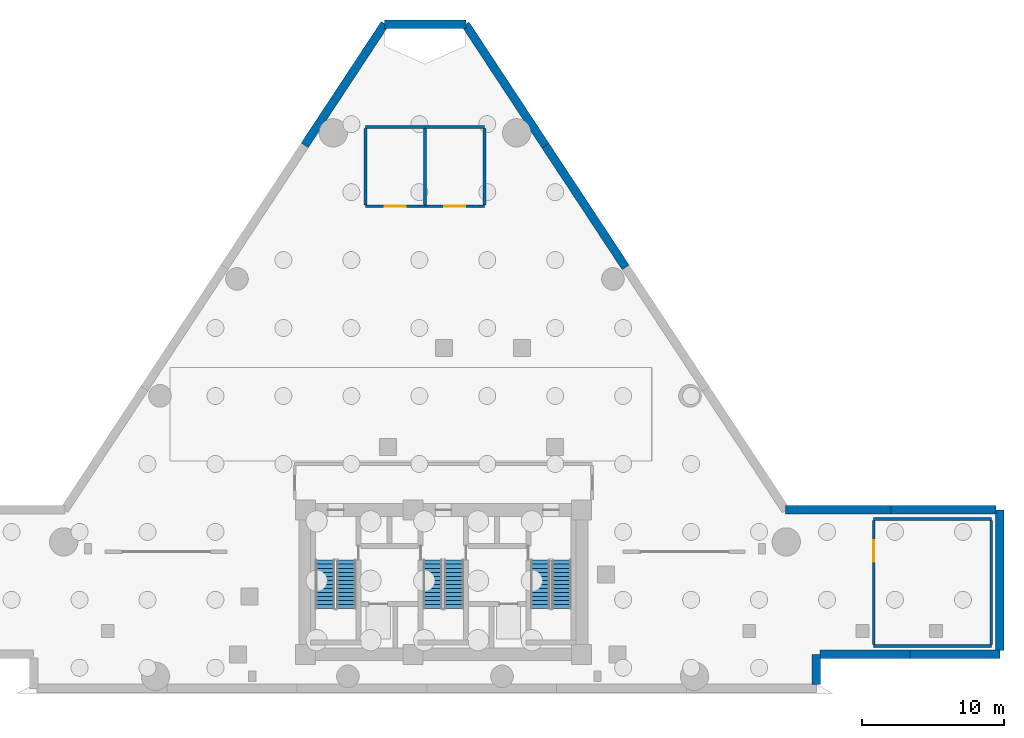
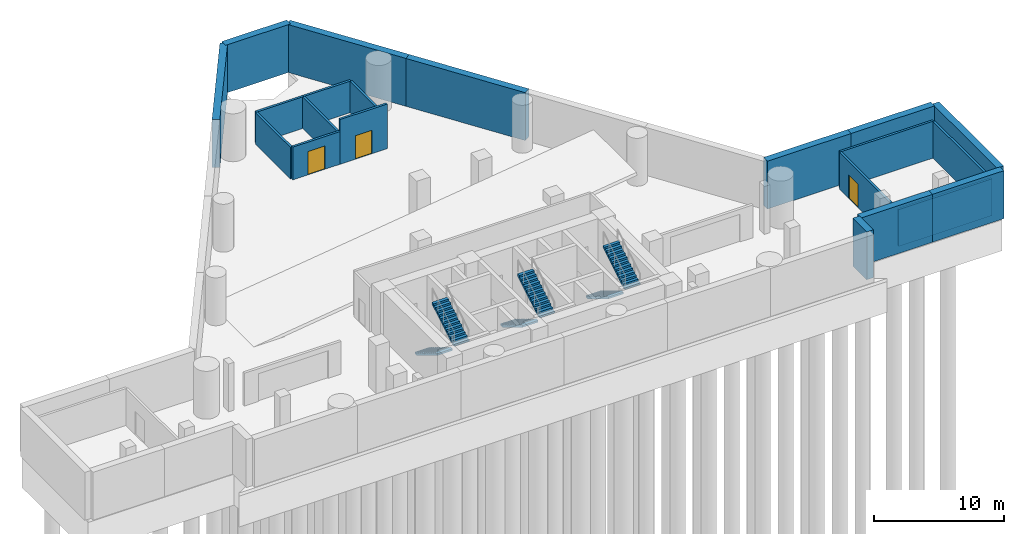
# One storey, part 3 of 5: 21 walls, 6 stair flights, 3 doors, 3 openings, 3 elements without a shape of their own.
"""IFC4 building model written with IfcOpenShell, lengths in metres."""

from ifc_helpers import new_model, si_unit, direction, frame, frame_2d, origin, place, context, subcontext, project, spatial, polyline, rectangle, outline, extrude, material, layer, layer_set, type_object, element, fill, aggregate, save


model = new_model("IFC4")

# Units and contexts
model_context = context("Model", 3, precision=1e-05, world=origin(), true_north=direction((0.0, 1.0)))
body_context = subcontext(model_context, "Body", "Model", "MODEL_VIEW")
ifc_project = project(units=[si_unit("LENGTHUNIT", "METRE"), si_unit("AREAUNIT", "SQUARE_METRE"), si_unit("VOLUMEUNIT", "CUBIC_METRE"), si_unit("PLANEANGLEUNIT", "RADIAN"), si_unit("MASSUNIT", "GRAM", prefix="KILO")], contexts=[model_context])

# Site, building, storey
site_placement = place(None, origin())
site = spatial("IfcSite", under=ifc_project, at=site_placement, CompositionType="ELEMENT")
building_placement = place(site_placement, origin())
building = spatial("IfcBuilding", under=site, at=building_placement, Name="Almagre Mirador Tower", CompositionType="ELEMENT")
storey_placement = place(building_placement, frame((0.0, 0.0, -9.0)))
storey = spatial("IfcBuildingStorey", under=building, at=storey_placement, Name="B02", CompositionType="ELEMENT", Elevation=-9.0)

# Walls
ifc_material_1 = material(Name="Gypsum acoustic stud partition", Category="other")
ifc_layer_1 = layer(ifc_material_1, 0.199951171875)
ifc_layer_set_1 = layer_set([ifc_layer_1], Name="Gypsum acoustic stud partition")
wall_type_1 = type_object("IfcWallType", Name="WAL-PRT-200-EI60", PredefinedType="PARTITIONING", material=ifc_layer_set_1)
for number, where, z_axis, x_axis, name in (
    (1, (67.699951171875, 5.14990234375, 0.0), (0.0, 0.0, 1.0), (1.0, 0.0, 0.0), "B02 East Stormwater Detention Plant Room S fire partition"),
    (2, (67.699951171875, 14.10009765625, 0.0), (0.0, 0.0, 1.0), (1.0, 0.0, 0.0), "B02 East Stormwater Detention Plant Room N fire partition"),
):
    element("IfcWall", number, at=place(storey_placement, frame(where, z_axis=z_axis, x_axis=x_axis)), inside=storey, type_object=wall_type_1, Name=name, PredefinedType="PARTITIONING", context=body_context, shape_type="SweptSolid", body=[
        extrude(rectangle(XDim=8.300048828125, YDim=0.199951171875, at=frame_2d((4.14990234375, 0.0))), origin(), (0.0, 0.0, 1.0), 3.464111328125),
    ])

# Wall, opening, door
wall_1_placement = place(storey_placement, frame((67.699951171875, 5.2548828125, 0.0), z_axis=(0.0, 0.0, 1.0), x_axis=(0.0, 1.0, 0.0)))
wall_1 = element("IfcWall", 3, at=wall_1_placement, inside=storey, type_object=wall_type_1, Name="B02 East Stormwater Detention Plant Room W fire partition", PredefinedType="PARTITIONING", context=body_context, shape_type="SweptSolid", body=[
    extrude(rectangle(XDim=8.740234375, YDim=0.199951171875, at=frame_2d((4.3701171875, 0.0))), origin(), (0.0, 0.0, 1.0), 3.464111328125),
])
opening_1_placement = place(wall_1_placement, frame((5.844970703125, 0.0, 0.0)))
opening_1 = element("IfcOpeningElement", 4, at=opening_1_placement, cuts=wall_1, Name="Opening ID-04", PredefinedType="OPENING", context=body_context, shape_type="SweptSolid", body=[
    extrude(rectangle(XDim=1.5, YDim=2.199951171875, at=frame_2d((0.75, 1.10009765625))), frame((0.0, 0.110098, 0.0), z_axis=(0.0, -1.0, 0.0), x_axis=(1.0, 0.0, 0.0)), (0.0, 0.0, 1.0), 0.219951),
])
ifc_material_2 = material(Name="Fire-rated hollow steel", Category="steel")
door_type = type_object("IfcDoorType", Name="DOR-FD60-1500X2200", OperationType="DOUBLE_DOOR_SINGLE_SWING", PredefinedType="DOOR", material=ifc_material_2)
door_1_placement = place(opening_1_placement, origin())
door_1 = element("IfcDoor", 5, at=door_1_placement, inside=storey, type_object=door_type, Name="DR-0002 B02 East Stormwater Detention Plant Room double fire door", OperationType="DOUBLE_DOOR_SINGLE_SWING", OverallHeight=2.199951171875, OverallWidth=1.5, PredefinedType="DOOR", context=body_context, shape_type="SweptSolid", body=[
    extrude(rectangle(XDim=1.5, YDim=2.199951171875, at=frame_2d((0.75, 1.10009765625))), frame((0.0, 0.02490234375, 0.0), z_axis=(0.0, -1.0, 0.0), x_axis=(1.0, 0.0, 0.0)), (0.0, 0.0, 1.0), 0.050048828125),
])
fill(opening_1, door_1)

# Wall
wall_2_placement = place(storey_placement, frame((76.0, 5.2548828125, 0.0), z_axis=(0.0, 0.0, 1.0), x_axis=(0.0, 1.0, 0.0)))
element("IfcWall", 6, at=wall_2_placement, inside=storey, type_object=wall_type_1, Name="B02 East Stormwater Detention Plant Room E fire partition", PredefinedType="PARTITIONING", context=body_context, shape_type="SweptSolid", body=[
    extrude(rectangle(XDim=8.740234375, YDim=0.199951171875, at=frame_2d((4.3701171875, 0.0))), origin(), (0.0, 0.0, 1.0), 3.464111328125),
])

# Wall, opening, door
wall_3_placement = place(storey_placement, frame((31.800048828125, 36.199951171875, 0.0), z_axis=(0.0, 0.0, 1.0), x_axis=(1.0, 0.0, 0.0)))
wall_3 = element("IfcWall", 7, at=wall_3_placement, inside=storey, type_object=wall_type_1, Name="B02 Fire Pump and Sprinkler Tank Room S fire partition", PredefinedType="PARTITIONING", context=body_context, shape_type="SweptSolid", body=[
    extrude(rectangle(XDim=4.199951171875, YDim=0.199951171875, at=frame_2d((2.10009765625, 0.0))), origin(), (0.0, 0.0, 1.0), 3.077880859375),
])
opening_2_placement = place(wall_3_placement, frame((1.35009765625, 0.0, 0.0)))
opening_2 = element("IfcOpeningElement", 8, at=opening_2_placement, cuts=wall_3, Name="Opening ID-04", PredefinedType="OPENING", context=body_context, shape_type="SweptSolid", body=[
    extrude(rectangle(XDim=1.5, YDim=2.199951171875, at=frame_2d((0.75, 1.10009765625))), frame((0.0, 0.110098, 0.0), z_axis=(0.0, -1.0, 0.0), x_axis=(1.0, 0.0, 0.0)), (0.0, 0.0, 1.0), 0.219951),
])
door_2_placement = place(opening_2_placement, origin())
door_2 = element("IfcDoor", 9, at=door_2_placement, inside=storey, type_object=door_type, Name="DR-0003 B02 Fire Pump and Sprinkler Tank Room double fire door", OperationType="DOUBLE_DOOR_SINGLE_SWING", OverallHeight=2.199951171875, OverallWidth=1.5, PredefinedType="DOOR", context=body_context, shape_type="SweptSolid", body=[
    extrude(rectangle(XDim=1.5, YDim=2.199951171875, at=frame_2d((0.75, 1.10009765625))), frame((0.0, 0.02490234375, 0.0), z_axis=(0.0, -1.0, 0.0), x_axis=(1.0, 0.0, 0.0)), (0.0, 0.0, 1.0), 0.050048828125),
])
fill(opening_2, door_2)

# Walls
wall_4_placement = place(storey_placement, frame((31.800048828125, 41.800048828125, 0.0), z_axis=(0.0, 0.0, 1.0), x_axis=(1.0, 0.0, 0.0)))
element("IfcWall", 10, at=wall_4_placement, inside=storey, type_object=wall_type_1, Name="B02 Fire Pump and Sprinkler Tank Room N fire partition", PredefinedType="PARTITIONING", context=body_context, shape_type="SweptSolid", body=[
    extrude(rectangle(XDim=4.199951171875, YDim=0.199951171875, at=frame_2d((2.10009765625, 0.0))), origin(), (0.0, 0.0, 1.0), 2.969970703125),
])
for number, where, z_axis, x_axis, name in (
    (11, (31.800048828125, 36.304931640625, 0.0), (0.0, 0.0, 1.0), (0.0, 1.0, 0.0), "B02 Fire Pump and Sprinkler Tank Room W fire partition"),
    (12, (36.0, 36.304931640625, 0.0), (0.0, 0.0, 1.0), (0.0, 1.0, 0.0), "B02 Fire Pump and Sprinkler Tank Room E fire partition"),
):
    element("IfcWall", number, at=place(storey_placement, frame(where, z_axis=z_axis, x_axis=x_axis)), inside=storey, type_object=wall_type_1, Name=name, PredefinedType="PARTITIONING", context=body_context, shape_type="SweptSolid", body=[
        extrude(rectangle(XDim=5.39013671875, YDim=0.199951171875, at=frame_2d((2.695068359375, 0.0))), origin(), (0.0, 0.0, 1.0), 2.969970703125),
    ])

# Wall, opening, door
wall_5_placement = place(storey_placement, frame((36.0, 36.199951171875, 0.0), z_axis=(0.0, 0.0, 1.0), x_axis=(1.0, 0.0, 0.0)))
wall_5 = element("IfcWall", 13, at=wall_5_placement, inside=storey, type_object=wall_type_1, Name="B02 Stormwater Detention and Sump Pump Room S fire partition", PredefinedType="PARTITIONING", context=body_context, shape_type="SweptSolid", body=[
    extrude(rectangle(XDim=4.199951171875, YDim=0.199951171875, at=frame_2d((2.10009765625, 0.0))), origin(), (0.0, 0.0, 1.0), 4.199951171875),
])
opening_3_placement = place(wall_5_placement, frame((1.35009765625, 0.0, 0.0)))
opening_3 = element("IfcOpeningElement", 14, at=opening_3_placement, cuts=wall_5, Name="Opening ID-04", PredefinedType="OPENING", context=body_context, shape_type="SweptSolid", body=[
    extrude(rectangle(XDim=1.5, YDim=2.199951171875, at=frame_2d((0.75, 1.10009765625))), frame((0.0, 0.110098, 0.0), z_axis=(0.0, -1.0, 0.0), x_axis=(1.0, 0.0, 0.0)), (0.0, 0.0, 1.0), 0.219951),
])
door_3_placement = place(opening_3_placement, origin())
door_3 = element("IfcDoor", 15, at=door_3_placement, inside=storey, type_object=door_type, Name="DR-0004 B02 Stormwater Detention and Sump Pump Room double fire door", OperationType="DOUBLE_DOOR_SINGLE_SWING", OverallHeight=2.199951171875, OverallWidth=1.5, PredefinedType="DOOR", context=body_context, shape_type="SweptSolid", body=[
    extrude(rectangle(XDim=1.5, YDim=2.199951171875, at=frame_2d((0.75, 1.10009765625))), frame((0.0, 0.02490234375, 0.0), z_axis=(0.0, -1.0, 0.0), x_axis=(1.0, 0.0, 0.0)), (0.0, 0.0, 1.0), 0.050048828125),
])
fill(opening_3, door_3)

# Walls
wall_6_placement = place(storey_placement, frame((36.0, 41.800048828125, 0.0), z_axis=(0.0, 0.0, 1.0), x_axis=(1.0, 0.0, 0.0)))
element("IfcWall", 16, at=wall_6_placement, inside=storey, type_object=wall_type_1, Name="B02 Stormwater Detention and Sump Pump Room N fire partition", PredefinedType="PARTITIONING", context=body_context, shape_type="SweptSolid", body=[
    extrude(rectangle(XDim=4.199951171875, YDim=0.199951171875, at=frame_2d((2.10009765625, 0.0))), origin(), (0.0, 0.0, 1.0), 2.969970703125),
])
wall_7_placement = place(storey_placement, frame((40.199951171875, 36.304931640625, 0.0), z_axis=(0.0, 0.0, 1.0), x_axis=(0.0, 1.0, 0.0)))
element("IfcWall", 17, at=wall_7_placement, inside=storey, type_object=wall_type_1, Name="B02 Stormwater Detention and Sump Pump Room E fire partition", PredefinedType="PARTITIONING", context=body_context, shape_type="SweptSolid", body=[
    extrude(rectangle(XDim=5.39013671875, YDim=0.199951171875, at=frame_2d((2.695068359375, 0.0))), origin(), (0.0, 0.0, 1.0), 2.969970703125),
])
ifc_material_3 = material(Name="Concrete C50/60", Category="concrete")
ifc_layer_2 = layer(ifc_material_3, 0.60009765625)
ifc_layer_set_2 = layer_set([ifc_layer_2], Name="Concrete C50/60")
wall_type_2 = type_object("IfcWallType", Name="WAL-RET-600", PredefinedType="USERDEFINED", material=ifc_layer_set_2)
wall_8_placement = place(storey_placement, frame((33.160888671875, 49.09130859375, 0.0), z_axis=(0.0, 0.0, 1.0), x_axis=(-0.550215159777, -0.835022920614, 0.0)))
element("IfcWall", 18, at=wall_8_placement, inside=storey, type_object=wall_type_2, Name="B02 perimeter retaining wall 01.1", ObjectType="RETAININGWALL", PredefinedType="USERDEFINED", context=body_context, shape_type="SweptSolid", body=[
    extrude(rectangle(XDim=10.281494140625, YDim=0.60009765625, at=frame_2d((5.140625, 0.0))), origin(), (0.0, 0.0, 1.0), 4.5),
])
wall_9_placement = place(storey_placement, frame((63.64794921875, 2.409912109375, 0.0), z_axis=(0.0, 0.0, 1.0), x_axis=(0.0, 1.0, 0.0)))
element("IfcWall", 19, at=wall_9_placement, inside=storey, type_object=wall_type_2, Name="B02 perimeter retaining wall 07.1", ObjectType="RETAININGWALL", PredefinedType="USERDEFINED", context=body_context, shape_type="SweptSolid", body=[
    extrude(rectangle(XDim=2.14013671875, YDim=0.60009765625, at=frame_2d((1.070068359375, 0.0))), origin(), (0.0, 0.0, 1.0), 4.5),
])
wall_10_placement = place(storey_placement, frame((63.907958984375, 4.550048828125, 0.0), z_axis=(0.0, 0.0, 1.0), x_axis=(1.0, 0.0, 0.0)))
element("IfcWall", 20, at=wall_10_placement, inside=storey, type_object=wall_type_2, Name="B02 perimeter retaining wall 08.1", ObjectType="RETAININGWALL", PredefinedType="USERDEFINED", context=body_context, shape_type="SweptSolid", body=[
    extrude(rectangle(XDim=6.345947265625, YDim=0.60009765625, at=frame_2d((3.1728515625, 0.0))), origin(), (0.0, 0.0, 1.0), 4.5),
])
wall_11_placement = place(storey_placement, frame((70.25390625, 4.550048828125, 0.0), z_axis=(0.0, 0.0, 1.0), x_axis=(1.0, 0.0, 0.0)))
element("IfcWall", 21, at=wall_11_placement, inside=storey, type_object=wall_type_2, Name="B02 perimeter retaining wall 08.2", ObjectType="RETAININGWALL", PredefinedType="USERDEFINED", context=body_context, shape_type="SweptSolid", body=[
    extrude(rectangle(XDim=6.34619140625, YDim=0.60009765625, at=frame_2d((3.173095703125, 0.0))), origin(), (0.0, 0.0, 1.0), 4.5),
])
wall_12_placement = place(storey_placement, frame((76.60009765625, 4.81005859375, 0.0), z_axis=(0.0, 0.0, 1.0), x_axis=(0.0, 1.0, 0.0)))
element("IfcWall", 22, at=wall_12_placement, inside=storey, type_object=wall_type_2, Name="B02 perimeter retaining wall 09.1", ObjectType="RETAININGWALL", PredefinedType="USERDEFINED", context=body_context, shape_type="SweptSolid", body=[
    extrude(rectangle(XDim=9.93994140625, YDim=0.60009765625, at=frame_2d((4.969970703125, 0.0))), origin(), (0.0, 0.0, 1.0), 4.5),
])
for number, where, z_axis, x_axis, name in (
    (23, (76.340087890625, 14.75, 0.0), (0.0, 0.0, 1.0), (-1.0, 0.0, 0.0), "B02 perimeter retaining wall 10.1"),
    (24, (68.903564453125, 14.75, 0.0), (0.0, 0.0, 1.0), (-1.0, 0.0, 0.0), "B02 perimeter retaining wall 10.2"),
):
    element("IfcWall", number, at=place(storey_placement, frame(where, z_axis=z_axis, x_axis=x_axis)), inside=storey, type_object=wall_type_2, Name=name, ObjectType="RETAININGWALL", PredefinedType="USERDEFINED", context=body_context, shape_type="SweptSolid", body=[
        extrude(rectangle(XDim=7.4365234375, YDim=0.60009765625, at=frame_2d((3.71826171875, 0.0))), origin(), (0.0, 0.0, 1.0), 4.5),
    ])
for number, where, z_axis, x_axis, name in (
    (25, (50.175048828125, 31.88720703125, 0.0), (0.0, 0.0, 1.0), (-0.550204250098, 0.835030109142, 0.0), "B02 perimeter retaining wall 11.3"),
    (26, (44.51806640625, 40.47265625, 0.0), (0.0, 0.0, 1.0), (-0.550204250098, 0.835030109142, 0.0), "B02 perimeter retaining wall 11.4"),
):
    element("IfcWall", number, at=place(storey_placement, frame(where, z_axis=z_axis, x_axis=x_axis)), inside=storey, type_object=wall_type_2, Name=name, ObjectType="RETAININGWALL", PredefinedType="USERDEFINED", context=body_context, shape_type="SweptSolid", body=[
        extrude(rectangle(XDim=10.281494140625, YDim=0.60009765625, at=frame_2d((5.140625, 0.0))), origin(), (0.0, 0.0, 1.0), 4.5),
    ])
wall_13_placement = place(storey_placement, frame((38.90087890625, 49.05810546875, 0.0), z_axis=(0.0, 0.0, 1.0), x_axis=(-1.0, 0.0, 0.0)))
element("IfcWall", 27, at=wall_13_placement, inside=storey, type_object=wall_type_2, Name="B02 perimeter retaining wall 12.1", ObjectType="RETAININGWALL", PredefinedType="USERDEFINED", context=body_context, shape_type="SweptSolid", body=[
    extrude(rectangle(XDim=5.761962890625, YDim=0.60009765625, at=frame_2d((2.880859375, 0.0))), origin(), (0.0, 0.0, 1.0), 4.5),
])

# Stair, stair flights
ifc_material_4 = material(Name="Concrete C45/55", Category="concrete")
stair_type = type_object("IfcStairType", Name="STR-DL-4500", PredefinedType="HALF_TURN_STAIR", material=ifc_material_4)
stair_1_placement = place(storey_placement, origin())
stair_1 = element("IfcStair", 28, at=stair_1_placement, inside=storey, type_object=stair_type, Name="B02 Protected exit stair ST-1", PredefinedType="HALF_TURN_STAIR")
ifc_material_5 = material(Name="Concrete C45/55", Category="concrete")
stair_flight_type = type_object("IfcStairFlightType", Name="FLT-DL-4500", PredefinedType="STRAIGHT", material=ifc_material_5)
stair_flight_1_placement = place(storey_placement, frame((28.949951171875, 11.199951171875, 0.0), z_axis=(0.0, 0.0, 1.0), x_axis=(0.0, -1.0, 0.0)))
stair_flight_1 = element("IfcStairFlight", 29, at=stair_flight_1_placement, type_object=stair_flight_type, Name="ST-1 flight 1", NumberOfRisers=13, NumberOfTreads=12, PredefinedType="STRAIGHT", RiserHeight=0.173076923, TreadLength=0.285, context=body_context, shape_type="SweptSolid", body=[
    extrude(outline(polyline([(0.0, 0.0), (0.0, 0.173095703125), (0.284912109375, 0.173095703125), (0.284912109375, 0.34619140625), (0.570068359375, 0.34619140625), (0.570068359375, 0.519287109375), (0.85498046875, 0.519287109375), (0.85498046875, 0.6923828125), (1.139892578125, 0.6923828125), (1.139892578125, 0.865478515625), (1.425048828125, 0.865478515625), (1.425048828125, 1.03857421875), (1.7099609375, 1.03857421875), (1.7099609375, 1.21142578125), (1.9951171875, 1.21142578125), (1.9951171875, 1.384521484375), (2.280029296875, 1.384521484375), (2.280029296875, 1.5576171875), (2.56494140625, 1.5576171875), (2.56494140625, 1.730712890625), (2.85009765625, 1.730712890625), (2.85009765625, 1.90380859375), (3.135009765625, 1.90380859375), (3.135009765625, 2.076904296875), (3.419921875, 2.076904296875), (3.419921875, 2.25), (3.419921875, 1.901611328125), (0.288818359375, 0.0), (0.0, 0.0)])), frame((0.0, 0.675048828125, 0.0), z_axis=(0.0, -1.0, 0.0), x_axis=(1.0, 0.0, 0.0)), (0.0, 0.0, 1.0), 1.35009765625),
])
stair_flight_2_placement = place(storey_placement, frame((30.449951171875, 7.780029296875, 2.25), z_axis=(0.0, 0.0, 1.0), x_axis=(0.0, 1.0, 0.0)))
stair_flight_2 = element("IfcStairFlight", 30, at=stair_flight_2_placement, type_object=stair_flight_type, Name="ST-1 flight 2", NumberOfRisers=13, NumberOfTreads=12, PredefinedType="STRAIGHT", RiserHeight=0.173076923, TreadLength=0.285, context=body_context, shape_type="SweptSolid", body=[
    extrude(outline(polyline([(0.0, 0.0), (0.0, 0.173095703125), (0.284912109375, 0.173095703125), (0.284912109375, 0.34619140625), (0.570068359375, 0.34619140625), (0.570068359375, 0.519287109375), (0.85498046875, 0.519287109375), (0.85498046875, 0.6923828125), (1.139892578125, 0.6923828125), (1.139892578125, 0.865478515625), (1.425048828125, 0.865478515625), (1.425048828125, 1.03857421875), (1.7099609375, 1.03857421875), (1.7099609375, 1.21142578125), (1.9951171875, 1.21142578125), (1.9951171875, 1.384521484375), (2.280029296875, 1.384521484375), (2.280029296875, 1.5576171875), (2.56494140625, 1.5576171875), (2.56494140625, 1.730712890625), (2.85009765625, 1.730712890625), (2.85009765625, 1.90380859375), (3.135009765625, 1.90380859375), (3.135009765625, 2.076904296875), (3.419921875, 2.076904296875), (3.419921875, 2.25), (3.419921875, 1.901611328125), (0.288818359375, 0.0), (0.0, 0.0)])), frame((0.0, 0.675048828125, 0.0), z_axis=(0.0, -1.0, 0.0), x_axis=(1.0, 0.0, 0.0)), (0.0, 0.0, 1.0), 1.35009765625),
])
aggregate(stair_1, [stair_flight_1, stair_flight_2])

stair_2_placement = place(storey_placement, origin())
stair_2 = element("IfcStair", 31, at=stair_2_placement, inside=storey, type_object=stair_type, Name="B02 Protected exit stair ST-2", PredefinedType="HALF_TURN_STAIR")
stair_flight_3_placement = place(storey_placement, frame((36.550048828125, 11.199951171875, 0.0), z_axis=(0.0, 0.0, 1.0), x_axis=(0.0, -1.0, 0.0)))
stair_flight_3 = element("IfcStairFlight", 32, at=stair_flight_3_placement, type_object=stair_flight_type, Name="ST-2 flight 1", NumberOfRisers=13, NumberOfTreads=12, PredefinedType="STRAIGHT", RiserHeight=0.173076923, TreadLength=0.285, context=body_context, shape_type="SweptSolid", body=[
    extrude(outline(polyline([(0.0, 0.0), (0.0, 0.173095703125), (0.284912109375, 0.173095703125), (0.284912109375, 0.34619140625), (0.570068359375, 0.34619140625), (0.570068359375, 0.519287109375), (0.85498046875, 0.519287109375), (0.85498046875, 0.6923828125), (1.139892578125, 0.6923828125), (1.139892578125, 0.865478515625), (1.425048828125, 0.865478515625), (1.425048828125, 1.03857421875), (1.7099609375, 1.03857421875), (1.7099609375, 1.21142578125), (1.9951171875, 1.21142578125), (1.9951171875, 1.384521484375), (2.280029296875, 1.384521484375), (2.280029296875, 1.5576171875), (2.56494140625, 1.5576171875), (2.56494140625, 1.730712890625), (2.85009765625, 1.730712890625), (2.85009765625, 1.90380859375), (3.135009765625, 1.90380859375), (3.135009765625, 2.076904296875), (3.419921875, 2.076904296875), (3.419921875, 2.25), (3.419921875, 1.901611328125), (0.288818359375, 0.0), (0.0, 0.0)])), frame((0.0, 0.675048828125, 0.0), z_axis=(0.0, -1.0, 0.0), x_axis=(1.0, 0.0, 0.0)), (0.0, 0.0, 1.0), 1.35009765625),
])
stair_flight_4_placement = place(storey_placement, frame((38.050048828125, 7.780029296875, 2.25), z_axis=(0.0, 0.0, 1.0), x_axis=(0.0, 1.0, 0.0)))
stair_flight_4 = element("IfcStairFlight", 33, at=stair_flight_4_placement, type_object=stair_flight_type, Name="ST-2 flight 2", NumberOfRisers=13, NumberOfTreads=12, PredefinedType="STRAIGHT", RiserHeight=0.173076923, TreadLength=0.285, context=body_context, shape_type="SweptSolid", body=[
    extrude(outline(polyline([(0.0, 0.0), (0.0, 0.173095703125), (0.284912109375, 0.173095703125), (0.284912109375, 0.34619140625), (0.570068359375, 0.34619140625), (0.570068359375, 0.519287109375), (0.85498046875, 0.519287109375), (0.85498046875, 0.6923828125), (1.139892578125, 0.6923828125), (1.139892578125, 0.865478515625), (1.425048828125, 0.865478515625), (1.425048828125, 1.03857421875), (1.7099609375, 1.03857421875), (1.7099609375, 1.21142578125), (1.9951171875, 1.21142578125), (1.9951171875, 1.384521484375), (2.280029296875, 1.384521484375), (2.280029296875, 1.5576171875), (2.56494140625, 1.5576171875), (2.56494140625, 1.730712890625), (2.85009765625, 1.730712890625), (2.85009765625, 1.90380859375), (3.135009765625, 1.90380859375), (3.135009765625, 2.076904296875), (3.419921875, 2.076904296875), (3.419921875, 2.25), (3.419921875, 1.901611328125), (0.288818359375, 0.0), (0.0, 0.0)])), frame((0.0, 0.675048828125, 0.0), z_axis=(0.0, -1.0, 0.0), x_axis=(1.0, 0.0, 0.0)), (0.0, 0.0, 1.0), 1.35009765625),
])
aggregate(stair_2, [stair_flight_3, stair_flight_4])

stair_3_placement = place(storey_placement, origin())
stair_3 = element("IfcStair", 34, at=stair_3_placement, inside=storey, type_object=stair_type, Name="B02 Protected exit stair ST-3", PredefinedType="HALF_TURN_STAIR")
stair_flight_5_placement = place(storey_placement, frame((44.14990234375, 11.199951171875, 0.0), z_axis=(0.0, 0.0, 1.0), x_axis=(0.0, -1.0, 0.0)))
stair_flight_5 = element("IfcStairFlight", 35, at=stair_flight_5_placement, type_object=stair_flight_type, Name="ST-3 flight 1", NumberOfRisers=13, NumberOfTreads=12, PredefinedType="STRAIGHT", RiserHeight=0.173076923, TreadLength=0.285, context=body_context, shape_type="SweptSolid", body=[
    extrude(outline(polyline([(0.0, 0.0), (0.0, 0.173095703125), (0.284912109375, 0.173095703125), (0.284912109375, 0.34619140625), (0.570068359375, 0.34619140625), (0.570068359375, 0.519287109375), (0.85498046875, 0.519287109375), (0.85498046875, 0.6923828125), (1.139892578125, 0.6923828125), (1.139892578125, 0.865478515625), (1.425048828125, 0.865478515625), (1.425048828125, 1.03857421875), (1.7099609375, 1.03857421875), (1.7099609375, 1.21142578125), (1.9951171875, 1.21142578125), (1.9951171875, 1.384521484375), (2.280029296875, 1.384521484375), (2.280029296875, 1.5576171875), (2.56494140625, 1.5576171875), (2.56494140625, 1.730712890625), (2.85009765625, 1.730712890625), (2.85009765625, 1.90380859375), (3.135009765625, 1.90380859375), (3.135009765625, 2.076904296875), (3.419921875, 2.076904296875), (3.419921875, 2.25), (3.419921875, 1.901611328125), (0.288818359375, 0.0), (0.0, 0.0)])), frame((0.0, 0.675048828125, 0.0), z_axis=(0.0, -1.0, 0.0), x_axis=(1.0, 0.0, 0.0)), (0.0, 0.0, 1.0), 1.35009765625),
])
stair_flight_6_placement = place(storey_placement, frame((45.64990234375, 7.780029296875, 2.25), z_axis=(0.0, 0.0, 1.0), x_axis=(0.0, 1.0, 0.0)))
stair_flight_6 = element("IfcStairFlight", 36, at=stair_flight_6_placement, type_object=stair_flight_type, Name="ST-3 flight 2", NumberOfRisers=13, NumberOfTreads=12, PredefinedType="STRAIGHT", RiserHeight=0.173076923, TreadLength=0.285, context=body_context, shape_type="SweptSolid", body=[
    extrude(outline(polyline([(0.0, 0.0), (0.0, 0.173095703125), (0.284912109375, 0.173095703125), (0.284912109375, 0.34619140625), (0.570068359375, 0.34619140625), (0.570068359375, 0.519287109375), (0.85498046875, 0.519287109375), (0.85498046875, 0.6923828125), (1.139892578125, 0.6923828125), (1.139892578125, 0.865478515625), (1.425048828125, 0.865478515625), (1.425048828125, 1.03857421875), (1.7099609375, 1.03857421875), (1.7099609375, 1.21142578125), (1.9951171875, 1.21142578125), (1.9951171875, 1.384521484375), (2.280029296875, 1.384521484375), (2.280029296875, 1.5576171875), (2.56494140625, 1.5576171875), (2.56494140625, 1.730712890625), (2.85009765625, 1.730712890625), (2.85009765625, 1.90380859375), (3.135009765625, 1.90380859375), (3.135009765625, 2.076904296875), (3.419921875, 2.076904296875), (3.419921875, 2.25), (3.419921875, 1.901611328125), (0.288818359375, 0.0), (0.0, 0.0)])), frame((0.0, 0.675048828125, 0.0), z_axis=(0.0, -1.0, 0.0), x_axis=(1.0, 0.0, 0.0)), (0.0, 0.0, 1.0), 1.35009765625),
])
aggregate(stair_3, [stair_flight_5, stair_flight_6])

save(model, "model.ifc")
